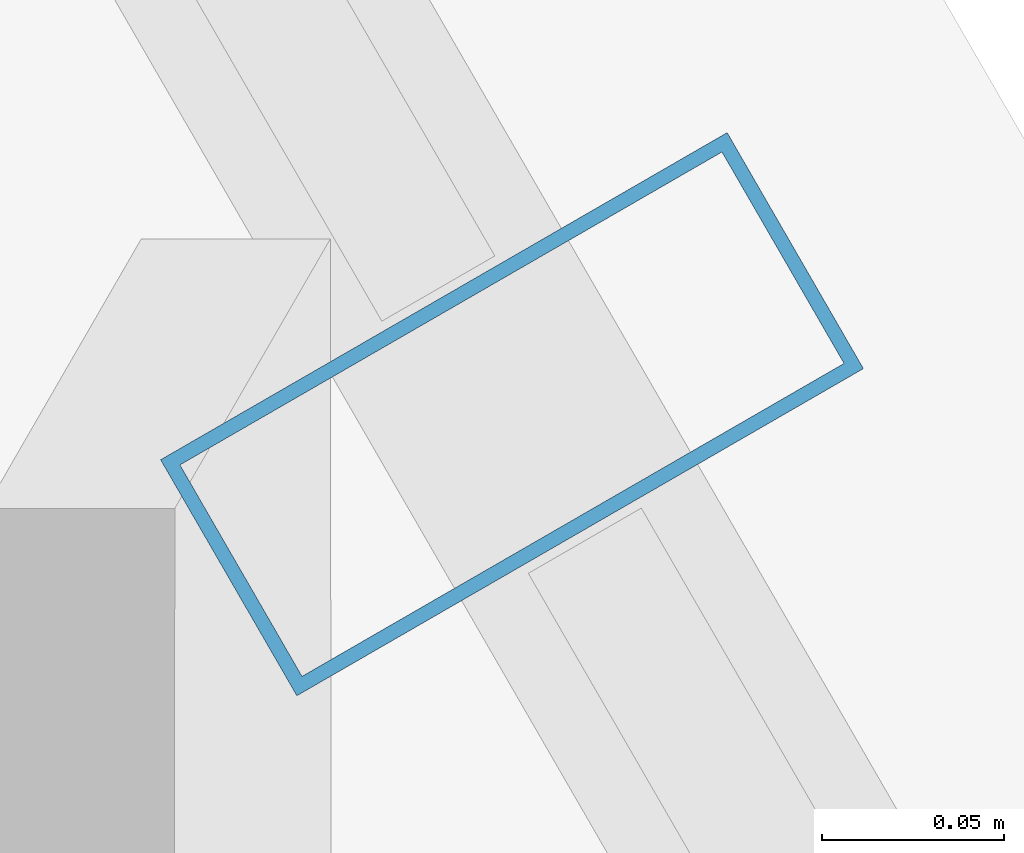
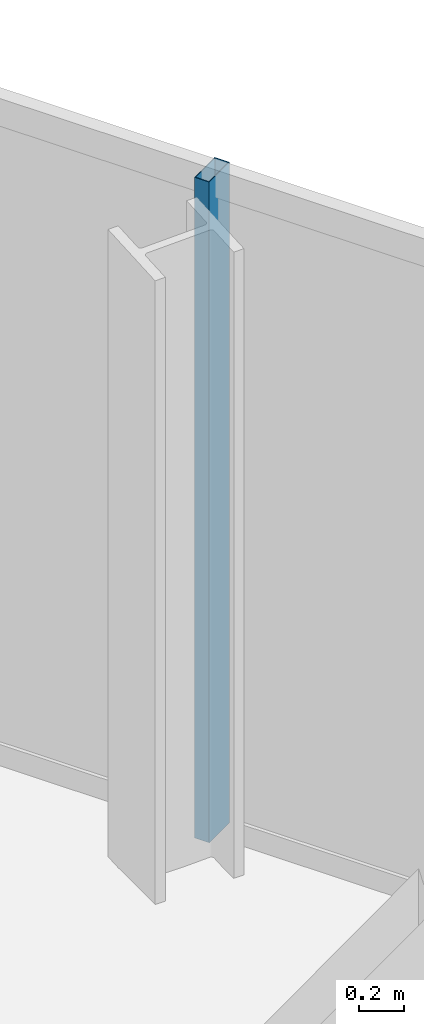
# One storey, part 18 of 33: 1 member, 1 element without a shape of its own.
"""IFC4 building model written with IfcOpenShell, lengths in metres."""

from ifc_helpers import new_model, si_unit, direction, frame, origin, origin_2d, place, context, subcontext, project, spatial, hollow_rectangle, extrude, material, layer, layer_set, material_profile, profile_set, type_object, element, aggregate, save


model = new_model("IFC4")

# Units and contexts
model_context = context("Model", 3, precision=1e-05, world=origin(), true_north=direction((0.0, 1.0)))
body_context = subcontext(model_context, "Body", "Model", "MODEL_VIEW")
ifc_project = project(units=[si_unit("LENGTHUNIT", "METRE"), si_unit("AREAUNIT", "SQUARE_METRE"), si_unit("VOLUMEUNIT", "CUBIC_METRE"), si_unit("PLANEANGLEUNIT", "RADIAN"), si_unit("MASSUNIT", "GRAM", prefix="KILO")], contexts=[model_context])

# Site, building, storey
site_placement = place(None, origin())
site = spatial("IfcSite", under=ifc_project, at=site_placement, CompositionType="ELEMENT")
building_placement = place(site_placement, origin())
building = spatial("IfcBuilding", under=site, at=building_placement, Name="Ndaravel Arena Tower", CompositionType="ELEMENT")
storey_placement = place(building_placement, frame((0.0, 0.0, 168.800048828125)))
storey = spatial("IfcBuildingStorey", under=building, at=storey_placement, Name="L40", CompositionType="ELEMENT", Elevation=168.800048828125)

# Curtain wall, member
ifc_material_1 = material(Name="Aluminium", Category="aluminium")
ifc_layer = layer(ifc_material_1, 0.179931640625)
ifc_layer_set = layer_set([ifc_layer], Name="Aluminium")
curtain_wall_type = type_object("IfcCurtainWallType", Name="CW-SYS-03", PredefinedType="NOTDEFINED", material=ifc_layer_set)
curtain_wall_placement = place(storey_placement, origin())
curtain_wall = element("IfcCurtainWall", 1, at=curtain_wall_placement, inside=storey, type_object=curtain_wall_type, Name="L40 Faceted Crystal Curtain Wall CW-L40-E03", PredefinedType="NOTDEFINED")
ifc_material_2 = material(Name="Aluminium", Category="aluminium")
ifc_material_profile = material_profile(ifc_material_2, hollow_rectangle(XDim=0.074951171875, YDim=0.179931640625, WallThickness=0.00390625, at=origin_2d()), Name="CW MULLION 75x180x4")
ifc_profile_set = profile_set([ifc_material_profile], Name="Aluminium")
member_type = type_object("IfcMemberType", Name="MEM-CW-MUL180", PredefinedType="MULLION", material=ifc_profile_set)
member_placement = place(storey_placement, frame((56.500244140625, 30.275146484375, 0.0), z_axis=(0.0, 0.0, 1.0), x_axis=(-0.5, 0.866025403784, 0.0)))
member = element("IfcMember", 2, at=member_placement, type_object=member_type, Name="CW-L40-E03 Mullion 04", PredefinedType="MULLION", context=body_context, shape_type="SweptSolid", body=[
    extrude(hollow_rectangle(XDim=0.074951171875, YDim=0.179931640625, WallThickness=0.00390625, at=origin_2d()), origin(), (0.0, 0.0, 1.0), 3.579833984375),
])
aggregate(curtain_wall, [member])

save(model, "model.ifc")
